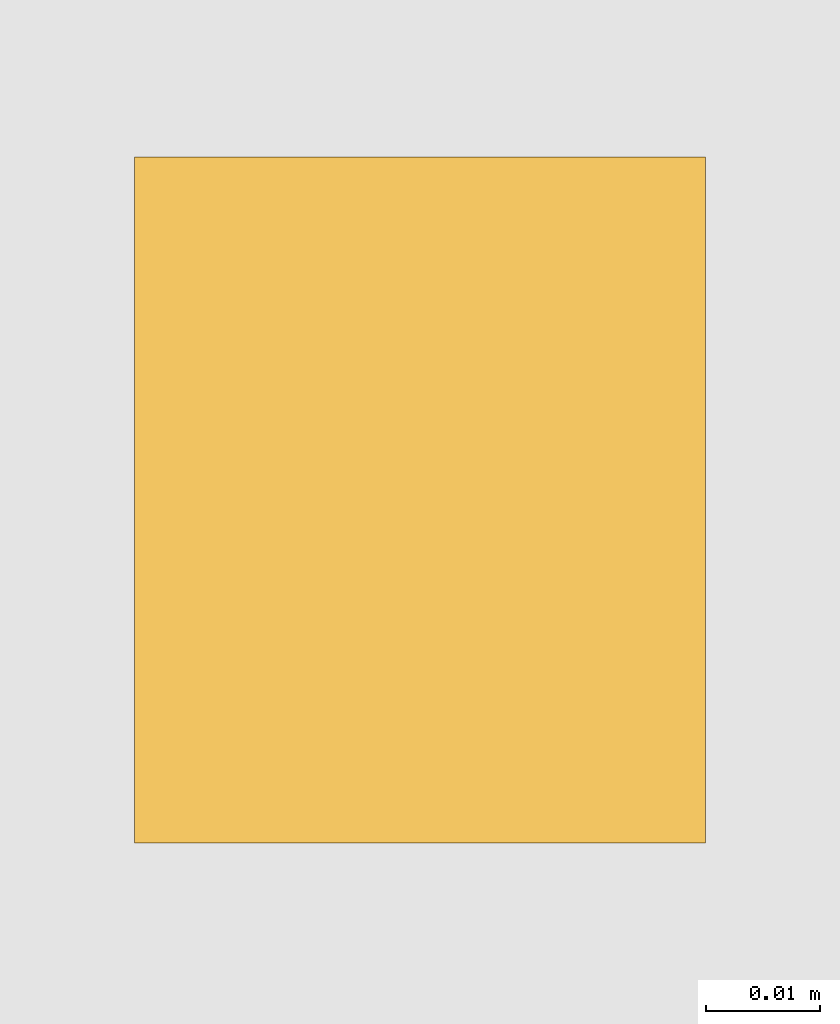
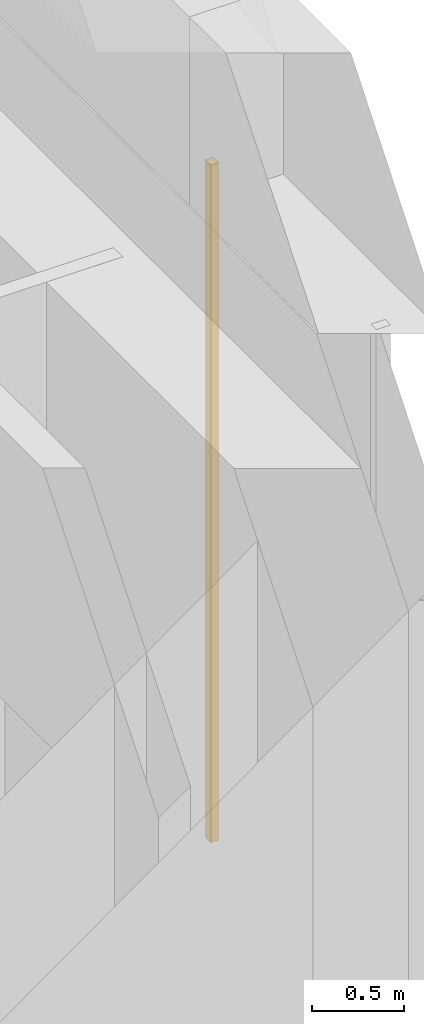
# One storey, part 27 of 38: 1 covering.
"""IFC4 building model written with IfcOpenShell, lengths in metres."""

from ifc_helpers import new_model, si_unit, direction, frame, origin, origin_2d, place, context, subcontext, project, spatial, rectangle, extrude, material, type_object, element, save


model = new_model("IFC4")

# Units and contexts
model_context = context("Model", 3, precision=1e-05, world=origin(), true_north=direction((0.0, 1.0)))
body_context = subcontext(model_context, "Body", "Model", "MODEL_VIEW")
ifc_project = project(units=[si_unit("LENGTHUNIT", "METRE"), si_unit("AREAUNIT", "SQUARE_METRE"), si_unit("VOLUMEUNIT", "CUBIC_METRE"), si_unit("PLANEANGLEUNIT", "RADIAN"), si_unit("MASSUNIT", "GRAM", prefix="KILO")], contexts=[model_context])

# Site, building, storey
site_placement = place(None, origin())
site = spatial("IfcSite", under=ifc_project, at=site_placement, CompositionType="ELEMENT")
building_placement = place(site_placement, origin())
building = spatial("IfcBuilding", under=site, at=building_placement, Name="Cobrizo Arcos Hotel Tower", CompositionType="ELEMENT")
storey_placement = place(building_placement, frame((0.0, 0.0, 138.0)))
storey = spatial("IfcBuildingStorey", under=building, at=storey_placement, Name="L35", CompositionType="ELEMENT", Elevation=138.0)

# Covering
ifc_material = material(Name="Aluminium 6063-T6 anodised pale", Category="aluminium")
covering_type = type_object("IfcCoveringType", Name="RS-2 rainscreen rib 60x50", PredefinedType="CLADDING", material=ifc_material)
covering_placement = place(storey_placement, frame((23.125, -8.10009765625, 0.0), z_axis=(0.0, 0.0, 1.0), x_axis=(0.0, 1.0, 0.0)))
element("IfcCovering", 1, at=covering_placement, inside=storey, type_object=covering_type, Name="Rainscreen rib 42", PredefinedType="CLADDING", context=body_context, shape_type="SweptSolid", body=[
    extrude(rectangle(XDim=0.06005859375, YDim=0.050048828125, at=origin_2d()), origin(), (0.0, 0.0, 1.0), 4.5),
])

save(model, "model.ifc")
